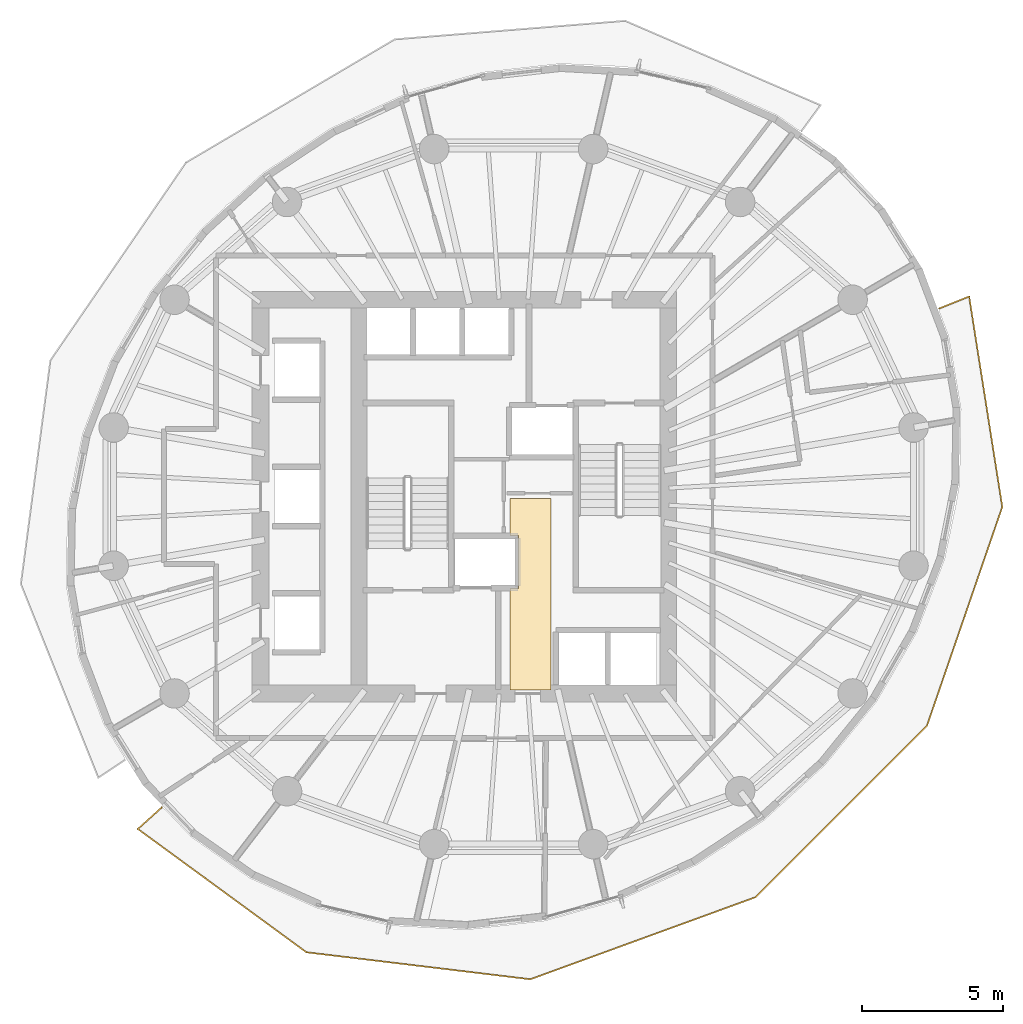
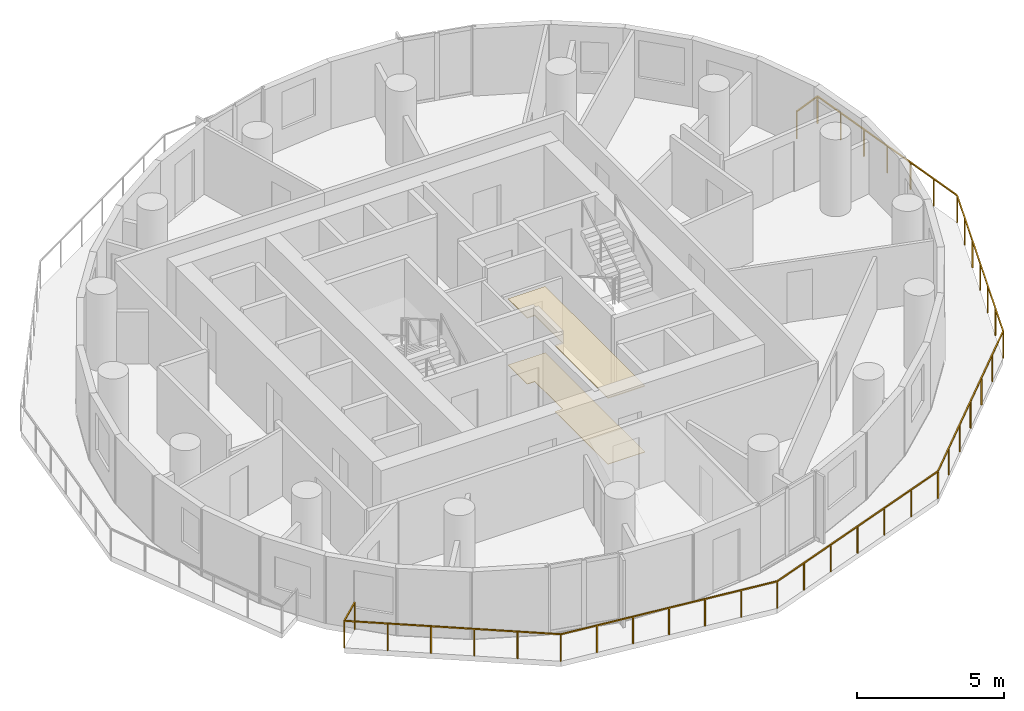
# One storey, part 10 of 13: 2 coverings, 1 railing.
"""IFC4 building model written with IfcOpenShell, lengths in metres."""

from ifc_helpers import new_model, si_unit, direction, frame, origin, origin_2d, place, context, subcontext, project, spatial, polyline, rectangle, outline, extrude, material, layer, layer_set, type_object, element, save


model = new_model("IFC4")

# Units and contexts
model_context = context("Model", 3, precision=1e-05, world=origin(), true_north=direction((0.0, 1.0)))
body_context = subcontext(model_context, "Body", "Model", "MODEL_VIEW")
ifc_project = project(units=[si_unit("LENGTHUNIT", "METRE"), si_unit("AREAUNIT", "SQUARE_METRE"), si_unit("VOLUMEUNIT", "CUBIC_METRE"), si_unit("PLANEANGLEUNIT", "RADIAN"), si_unit("MASSUNIT", "GRAM", prefix="KILO")], contexts=[model_context])

# Site, building, storey
site_placement = place(None, origin())
site = spatial("IfcSite", under=ifc_project, at=site_placement, CompositionType="ELEMENT")
building_placement = place(site_placement, origin())
building = spatial("IfcBuilding", under=site, at=building_placement, Name="Veldorim Arch Residences", CompositionType="ELEMENT")
storey_placement = place(building_placement, frame((0.0, 0.0, 155.360107421875)))
storey = spatial("IfcBuildingStorey", under=building, at=storey_placement, Name="L46", CompositionType="ELEMENT", Elevation=155.360107421875)

# Railing
ifc_material_1 = material(Name="Aluminium", Category="aluminium")
railing_type = type_object("IfcRailingType", Name="Balcony & Terrace Laminated Glass Balustrade 1150", PredefinedType="BALUSTRADE", material=ifc_material_1)
railing_placement = place(storey_placement, frame((19.491943359375, 12.951416015625, 0.0)))
element("IfcRailing", 1, at=railing_placement, inside=storey, type_object=railing_type, Name="L46 crescent balcony safety balustrade B", PredefinedType="BALUSTRADE", context=body_context, shape_type="SweptSolid", body=[
    extrude(rectangle(XDim=0.048095703125, YDim=0.048095703125, at=origin_2d()), frame((0.0, 0.0, 1.1259765625), z_axis=(-0.742977403306, -0.66931650075, 0.0), x_axis=(0.66931650075, -0.742977403306, 0.0)), (0.0, 0.0, 1.0), 1.150146484375),
    extrude(rectangle(XDim=0.048095703125, YDim=0.048095703125, at=origin_2d()), frame((-0.8544921875, -0.769775390625, 1.1259765625), z_axis=(0.807092966632, -0.590424375525, 0.0), x_axis=(0.590424375525, 0.807092966632, 0.0)), (0.0, 0.0, 1.0), 7.428955078125),
    extrude(rectangle(XDim=0.048095703125, YDim=0.048095703125, at=origin_2d()), frame((5.141357421875, -5.156005859375, 1.1259765625), z_axis=(0.99280709634, -0.119724974241, 0.0), x_axis=(0.119724974241, 0.99280709634, 0.0)), (0.0, 0.0, 1.0), 8.02001953125),
    extrude(rectangle(XDim=0.048095703125, YDim=0.048095703125, at=origin_2d()), frame((13.103759765625, -6.1162109375, 1.1259765625), z_axis=(0.939530851567, 0.342464273981, 0.0), x_axis=(-0.342464273981, 0.939530851567, 0.0)), (0.0, 0.0, 1.0), 8.533447265625),
    extrude(rectangle(XDim=0.048095703125, YDim=0.048095703125, at=origin_2d()), frame((21.12109375, -3.19384765625, 1.1259765625), z_axis=(0.706412741279, 0.707800140547, 0.0), x_axis=(-0.707800140547, 0.706412741279, 0.0)), (0.0, 0.0, 1.0), 8.62255859375),
    extrude(rectangle(XDim=0.048095703125, YDim=0.048095703125, at=origin_2d()), frame((27.212158203125, 2.9091796875, 1.1259765625), z_axis=(0.325434154241, 0.945564704953, 0.0), x_axis=(-0.945564704953, 0.325434154241, 0.0)), (0.0, 0.0, 1.0), 8.220703125),
    extrude(rectangle(XDim=0.048095703125, YDim=0.048095703125, at=origin_2d()), frame((29.887451171875, 10.682373046875, 1.1259765625), z_axis=(-0.155654757768, 0.987811518653, 0.0), x_axis=(-0.987811518653, -0.155654757768, 0.0)), (0.0, 0.0, 1.0), 7.57568359375),
    extrude(rectangle(XDim=0.048095703125, YDim=0.048095703125, at=origin_2d()), frame((28.708251953125, 18.165771484375, 1.1259765625), z_axis=(-0.928168905955, -0.372159215951, 0.0), x_axis=(0.372159215951, -0.928168905955, 0.0)), (0.0, 0.0, 1.0), 1.14990234375),
    extrude(rectangle(XDim=0.0419921875, YDim=0.0419921875, at=origin_2d()), origin(), (0.0, 0.0, 1.0), 1.101806640625),
    extrude(rectangle(XDim=0.0419921875, YDim=0.0419921875, at=origin_2d()), frame((-0.8544921875, -0.769775390625, 0.0)), (0.0, 0.0, 1.0), 1.101806640625),
    extrude(rectangle(XDim=0.0419921875, YDim=0.0419921875, at=origin_2d()), frame((0.3447265625, -1.64697265625, 0.0)), (0.0, 0.0, 1.0), 1.101806640625),
    extrude(rectangle(XDim=0.0419921875, YDim=0.0419921875, at=origin_2d()), frame((1.5439453125, -2.524169921875, 0.0)), (0.0, 0.0, 1.0), 1.101806640625),
    extrude(rectangle(XDim=0.0419921875, YDim=0.0419921875, at=origin_2d()), frame((2.742919921875, -3.401611328125, 0.0)), (0.0, 0.0, 1.0), 1.101806640625),
    extrude(rectangle(XDim=0.0419921875, YDim=0.0419921875, at=origin_2d()), frame((3.942138671875, -4.27880859375, 0.0)), (0.0, 0.0, 1.0), 1.101806640625),
    extrude(rectangle(XDim=0.0419921875, YDim=0.0419921875, at=origin_2d()), frame((5.141357421875, -5.156005859375, 0.0)), (0.0, 0.0, 1.0), 1.101806640625),
    extrude(rectangle(XDim=0.0419921875, YDim=0.0419921875, at=origin_2d()), frame((6.468505859375, -5.31591796875, 0.0)), (0.0, 0.0, 1.0), 1.101806640625),
    extrude(rectangle(XDim=0.0419921875, YDim=0.0419921875, at=origin_2d()), frame((7.79541015625, -5.47607421875, 0.0)), (0.0, 0.0, 1.0), 1.101806640625),
    extrude(rectangle(XDim=0.0419921875, YDim=0.0419921875, at=origin_2d()), frame((9.12255859375, -5.63623046875, 0.0)), (0.0, 0.0, 1.0), 1.101806640625),
    extrude(rectangle(XDim=0.0419921875, YDim=0.0419921875, at=origin_2d()), frame((10.44970703125, -5.796142578125, 0.0)), (0.0, 0.0, 1.0), 1.101806640625),
    extrude(rectangle(XDim=0.0419921875, YDim=0.0419921875, at=origin_2d()), frame((11.776611328125, -5.9560546875, 0.0)), (0.0, 0.0, 1.0), 1.101806640625),
    extrude(rectangle(XDim=0.0419921875, YDim=0.0419921875, at=origin_2d()), frame((13.103759765625, -6.1162109375, 0.0)), (0.0, 0.0, 1.0), 1.101806640625),
    extrude(rectangle(XDim=0.0419921875, YDim=0.0419921875, at=origin_2d()), frame((14.43994140625, -5.629150390625, 0.0)), (0.0, 0.0, 1.0), 1.101806640625),
    extrude(rectangle(XDim=0.0419921875, YDim=0.0419921875, at=origin_2d()), frame((15.776123046875, -5.14208984375, 0.0)), (0.0, 0.0, 1.0), 1.101806640625),
    extrude(rectangle(XDim=0.0419921875, YDim=0.0419921875, at=origin_2d()), frame((17.1123046875, -4.655029296875, 0.0)), (0.0, 0.0, 1.0), 1.101806640625),
    extrude(rectangle(XDim=0.0419921875, YDim=0.0419921875, at=origin_2d()), frame((18.44873046875, -4.16796875, 0.0)), (0.0, 0.0, 1.0), 1.101806640625),
    extrude(rectangle(XDim=0.0419921875, YDim=0.0419921875, at=origin_2d()), frame((19.784912109375, -3.680908203125, 0.0)), (0.0, 0.0, 1.0), 1.101806640625),
    extrude(rectangle(XDim=0.0419921875, YDim=0.0419921875, at=origin_2d()), frame((21.12109375, -3.19384765625, 0.0)), (0.0, 0.0, 1.0), 1.101806640625),
    extrude(rectangle(XDim=0.0419921875, YDim=0.0419921875, at=origin_2d()), frame((22.13623046875, -2.1767578125, 0.0)), (0.0, 0.0, 1.0), 1.101806640625),
    extrude(rectangle(XDim=0.0419921875, YDim=0.0419921875, at=origin_2d()), frame((23.1513671875, -1.159423828125, 0.0)), (0.0, 0.0, 1.0), 1.101806640625),
    extrude(rectangle(XDim=0.0419921875, YDim=0.0419921875, at=origin_2d()), frame((24.16650390625, -0.142333984375, 0.0)), (0.0, 0.0, 1.0), 1.101806640625),
    extrude(rectangle(XDim=0.0419921875, YDim=0.0419921875, at=origin_2d()), frame((25.181884765625, 0.874755859375, 0.0)), (0.0, 0.0, 1.0), 1.101806640625),
    extrude(rectangle(XDim=0.0419921875, YDim=0.0419921875, at=origin_2d()), frame((26.197021484375, 1.89208984375, 0.0)), (0.0, 0.0, 1.0), 1.101806640625),
    extrude(rectangle(XDim=0.0419921875, YDim=0.0419921875, at=origin_2d()), frame((27.212158203125, 2.9091796875, 0.0)), (0.0, 0.0, 1.0), 1.101806640625),
    extrude(rectangle(XDim=0.0419921875, YDim=0.0419921875, at=origin_2d()), frame((27.657958984375, 4.20458984375, 0.0)), (0.0, 0.0, 1.0), 1.101806640625),
    extrude(rectangle(XDim=0.0419921875, YDim=0.0419921875, at=origin_2d()), frame((28.10400390625, 5.500244140625, 0.0)), (0.0, 0.0, 1.0), 1.101806640625),
    extrude(rectangle(XDim=0.0419921875, YDim=0.0419921875, at=origin_2d()), frame((28.5498046875, 6.7958984375, 0.0)), (0.0, 0.0, 1.0), 1.101806640625),
    extrude(rectangle(XDim=0.0419921875, YDim=0.0419921875, at=origin_2d()), frame((28.99560546875, 8.09130859375, 0.0)), (0.0, 0.0, 1.0), 1.101806640625),
    extrude(rectangle(XDim=0.0419921875, YDim=0.0419921875, at=origin_2d()), frame((29.441650390625, 9.38671875, 0.0)), (0.0, 0.0, 1.0), 1.101806640625),
    extrude(rectangle(XDim=0.0419921875, YDim=0.0419921875, at=origin_2d()), frame((29.887451171875, 10.682373046875, 0.0)), (0.0, 0.0, 1.0), 1.101806640625),
    extrude(rectangle(XDim=0.0419921875, YDim=0.0419921875, at=origin_2d()), frame((29.69091796875, 11.9296875, 0.0)), (0.0, 0.0, 1.0), 1.101806640625),
    extrude(rectangle(XDim=0.0419921875, YDim=0.0419921875, at=origin_2d()), frame((29.494384765625, 13.1767578125, 0.0)), (0.0, 0.0, 1.0), 1.101806640625),
    extrude(rectangle(XDim=0.0419921875, YDim=0.0419921875, at=origin_2d()), frame((29.2978515625, 14.424072265625, 0.0)), (0.0, 0.0, 1.0), 1.101806640625),
    extrude(rectangle(XDim=0.0419921875, YDim=0.0419921875, at=origin_2d()), frame((29.101318359375, 15.67138671875, 0.0)), (0.0, 0.0, 1.0), 1.101806640625),
    extrude(rectangle(XDim=0.0419921875, YDim=0.0419921875, at=origin_2d()), frame((28.90478515625, 16.91845703125, 0.0)), (0.0, 0.0, 1.0), 1.101806640625),
    extrude(rectangle(XDim=0.0419921875, YDim=0.0419921875, at=origin_2d()), frame((28.708251953125, 18.165771484375, 0.0)), (0.0, 0.0, 1.0), 1.101806640625),
    extrude(rectangle(XDim=0.0419921875, YDim=0.0419921875, at=origin_2d()), frame((27.640869140625, 17.73779296875, 0.0)), (0.0, 0.0, 1.0), 1.101806640625),
])

# Coverings
ifc_material_2 = material(Name="Acoustic Gypsum & Mineral Fibre", Category="gypsum")
ifc_layer_1 = layer(ifc_material_2, 0.034912109375, Name="Perforated Acoustic Mineral-Fibre Ceiling 35")
ifc_layer_set_1 = layer_set([ifc_layer_1], Name="Acoustic Gypsum & Mineral Fibre")
covering_type_1 = type_object("IfcCoveringType", Name="Perforated Acoustic Mineral-Fibre Ceiling 35", PredefinedType="CEILING", material=ifc_layer_set_1)
covering_1_placement = place(storey_placement, frame((0.0, 0.0, 2.744873046875)))
element("IfcCovering", 2, at=covering_1_placement, inside=storey, type_object=covering_type_1, Name="L46 acoustic suspended ceiling 01", PredefinedType="CEILING", context=body_context, shape_type="SweptSolid", body=[
    extrude(outline(polyline([(33.330078125, 23.929931640625), (33.330078125, 17.1201171875), (31.8701171875, 17.1201171875), (31.8701171875, 20.735107421875), (32.169921875, 20.735107421875), (32.169921875, 22.625), (31.8701171875, 22.625), (31.8701171875, 23.929931640625), (33.330078125, 23.929931640625)])), origin(), (0.0, 0.0, 1.0), 0.034912109375),
])
ifc_material_3 = material(Name="Porcelain Ceramic Tile", Category="ceramic")
ifc_layer_2 = layer(ifc_material_3, 0.02001953125, Name="Slip-Resistant Porcelain & Vinyl Floor Finish 20")
ifc_layer_set_2 = layer_set([ifc_layer_2], Name="Porcelain Ceramic Tile")
covering_type_2 = type_object("IfcCoveringType", Name="Slip-Resistant Porcelain & Vinyl Floor Finish 20", PredefinedType="FLOORING", material=ifc_layer_set_2)
covering_2_placement = place(storey_placement, origin())
element("IfcCovering", 3, at=covering_2_placement, inside=storey, type_object=covering_type_2, Name="L46 porcelain floor finish 01", PredefinedType="FLOORING", context=body_context, shape_type="SweptSolid", body=[
    extrude(outline(polyline([(33.330078125, 23.929931640625), (33.330078125, 17.1201171875), (31.8701171875, 17.1201171875), (31.8701171875, 20.735107421875), (32.169921875, 20.735107421875), (32.169921875, 22.625), (31.8701171875, 22.625), (31.8701171875, 23.929931640625), (33.330078125, 23.929931640625)])), origin(), (0.0, 0.0, 1.0), 0.019775390625),
])

save(model, "model.ifc")
